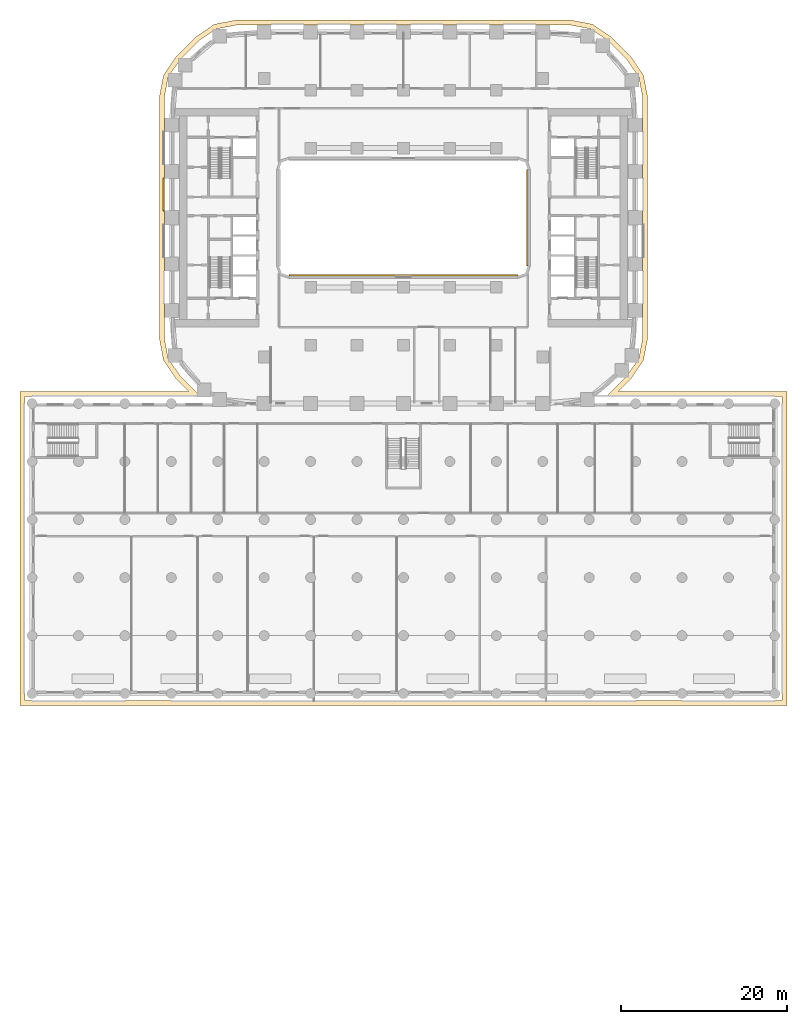
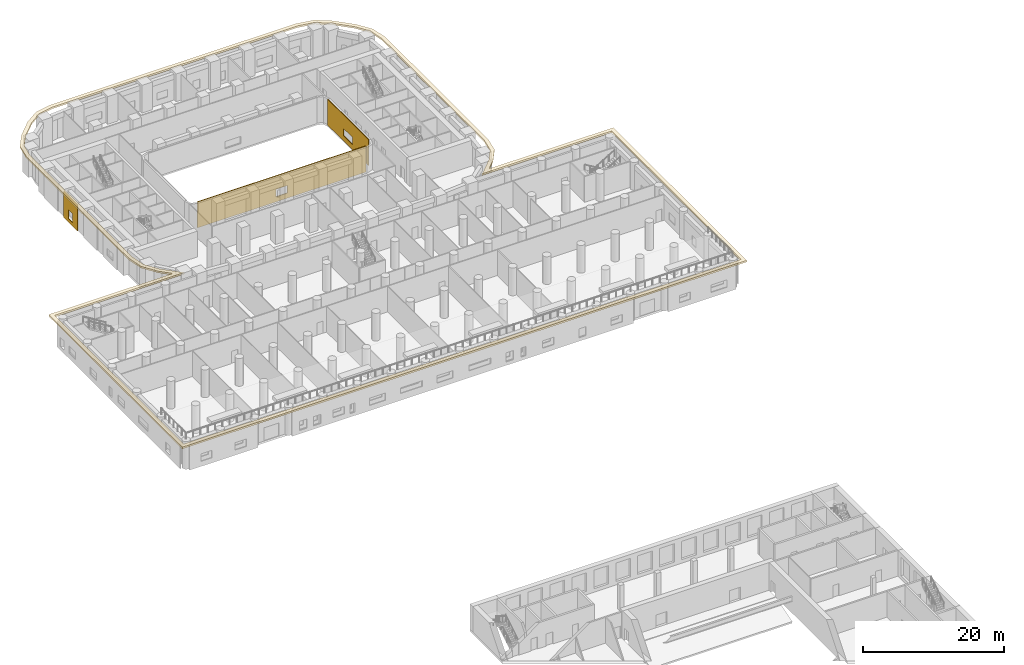
# One storey, part 23 of 27: 4 coverings.
"""IFC4 building model written with IfcOpenShell, lengths in metres."""

from ifc_helpers import new_model, si_unit, direction, frame, origin, place, context, subcontext, project, spatial, polyline, outline, extrude, material, layer, layer_set, type_object, element, save


model = new_model("IFC4")

# Units and contexts
model_context = context("Model", 3, precision=1e-05, world=origin(), true_north=direction((0.0, 1.0)))
body_context = subcontext(model_context, "Body", "Model", "MODEL_VIEW")
ifc_project = project(units=[si_unit("LENGTHUNIT", "METRE"), si_unit("AREAUNIT", "SQUARE_METRE"), si_unit("VOLUMEUNIT", "CUBIC_METRE"), si_unit("PLANEANGLEUNIT", "RADIAN"), si_unit("MASSUNIT", "GRAM", prefix="KILO")], contexts=[model_context])

# Site, building, storey
site_placement = place(None, origin())
site = spatial("IfcSite", under=ifc_project, at=site_placement, CompositionType="ELEMENT")
building_placement = place(site_placement, origin())
building = spatial("IfcBuilding", under=site, at=building_placement, Name="Kiln Ring Residences", CompositionType="ELEMENT")
storey_placement = place(building_placement, frame((0.0, 0.0, 6.5)))
storey = spatial("IfcBuildingStorey", under=building, at=storey_placement, Name="L01", CompositionType="ELEMENT", Elevation=6.5)

# Coverings
ifc_material_1 = material(Name="Brick masonry, dark clay brick", Category="masonry")
ifc_layer_1 = layer(ifc_material_1, 0.1201171875)
ifc_layer_set_1 = layer_set([ifc_layer_1], Name="RAINSCREEN PANEL 120")
covering_type_1 = type_object("IfcCoveringType", Name="RAINSCREEN PANEL 120", PredefinedType="CLADDING", material=ifc_layer_set_1)
covering_1_placement = place(storey_placement, frame((-28.909912109375, 4.75, 0.0), z_axis=(0.0, 0.0, 1.0), x_axis=(0.0, -1.0, 0.0)))
element("IfcCovering", 1, at=covering_1_placement, inside=storey, type_object=covering_type_1, Name="RAINSCREEN L01", PredefinedType="CLADDING", context=body_context, shape_type="SweptSolid", body=[
    extrude(outline(polyline([(0.0, 0.0), (3.89990234375, 0.0), (3.89990234375, 4.5), (0.0, 4.5), (0.0, 0.0)]), holes=[polyline([(1.35009765625, 2.14990234375), (1.35009765625, 0.60009765625), (2.550048828125, 0.60009765625), (2.550048828125, 2.14990234375), (1.35009765625, 2.14990234375)])]), frame((0.0, 0.06005859375, 0.0), z_axis=(0.0, -1.0, 0.0), x_axis=(1.0, 0.0, 0.0)), (0.0, 0.0, 1.0), 0.1201171875),
])
covering_2_placement = place(storey_placement, frame((14.93994140625, 5.800048828125, 0.0), z_axis=(0.0, 0.0, 1.0), x_axis=(0.0, -1.0, 0.0)))
element("IfcCovering", 2, at=covering_2_placement, inside=storey, type_object=covering_type_1, Name="RAINSCREEN L01", PredefinedType="CLADDING", context=body_context, shape_type="SweptSolid", body=[
    extrude(outline(polyline([(0.0, 0.0), (11.60009765625, 0.0), (11.60009765625, 4.5), (0.0, 4.5), (0.0, 0.0)]), holes=[polyline([(4.5, 2.14990234375), (4.5, 0.89990234375), (7.10009765625, 0.89990234375), (7.10009765625, 2.14990234375), (4.5, 2.14990234375)])]), frame((0.0, 0.06005859375, 0.0), z_axis=(0.0, -1.0, 0.0), x_axis=(1.0, 0.0, 0.0)), (0.0, 0.0, 1.0), 0.1201171875),
])
covering_3_placement = place(storey_placement, frame((13.800048828125, -6.93994140625, 0.0), z_axis=(0.0, 0.0, 1.0), x_axis=(-1.0, 0.0, 0.0)))
element("IfcCovering", 3, at=covering_3_placement, inside=storey, type_object=covering_type_1, Name="RAINSCREEN L01", PredefinedType="CLADDING", context=body_context, shape_type="SweptSolid", body=[
    extrude(outline(polyline([(0.0, 0.0), (27.60009765625, 0.0), (27.60009765625, 4.5), (0.0, 4.5), (0.0, 0.0)]), holes=[polyline([(12.8798828125, 2.169921875), (12.8798828125, 0.8798828125), (14.719970703125, 0.8798828125), (14.719970703125, 2.169921875), (12.8798828125, 2.169921875)])]), frame((0.0, 0.06005859375, 0.0), z_axis=(0.0, -1.0, 0.0), x_axis=(1.0, 0.0, 0.0)), (0.0, 0.0, 1.0), 0.1201171875),
])
ifc_material_2 = material(Name="Black powder-coated steel", Category="steel")
ifc_layer_2 = layer(ifc_material_2, 0.300048828125)
ifc_layer_set_2 = layer_set([ifc_layer_2], Name="SUNSHADE FIN 600")
covering_type_2 = type_object("IfcCoveringType", Name="SUNSHADE FIN 600", PredefinedType="CLADDING", material=ifc_layer_set_2)
covering_4_placement = place(storey_placement, frame((0.0, 0.0, 4.5)))
element("IfcCovering", 4, at=covering_4_placement, inside=storey, type_object=covering_type_2, Name="SUNSHADE FIN L01", PredefinedType="CLADDING", context=body_context, shape_type="SweptSolid", body=[
    extrude(outline(polyline([(-27.42529296875, -19.42529296875), (-25.900634765625, -20.949951171875), (-46.25, -20.949951171875), (-46.25, -58.85009765625), (46.25, -58.85009765625), (46.25, -20.949951171875), (25.900634765625, -20.949951171875), (27.42529296875, -19.42529296875), (28.94384765625, -17.19091796875), (29.449951171875, -14.537109375), (29.449951171875, 14.537109375), (28.94384765625, 17.19091796875), (27.42529296875, 19.42529296875), (25.025390625, 21.8251953125), (22.791015625, 23.34375), (20.13720703125, 23.85009765625), (-20.13720703125, 23.85009765625), (-22.791015625, 23.34375), (-25.025390625, 21.8251953125), (-27.42529296875, 19.42529296875), (-28.94384765625, 17.19091796875), (-29.449951171875, 14.537109375), (-29.449951171875, -14.537109375), (-28.94384765625, -17.19091796875), (-27.42529296875, -19.42529296875)]), holes=[polyline([(-45.64990234375, -21.550048828125), (-24.36279296875, -21.550048828125), (-24.641357421875, -21.36083984375), (-26.960693359375, -19.041259765625), (-28.377685546875, -16.956298828125), (-28.85009765625, -14.480224609375), (-28.85009765625, 14.480224609375), (-28.377685546875, 16.956298828125), (-26.960693359375, 19.041259765625), (-24.641357421875, 21.36083984375), (-22.556396484375, 22.777587890625), (-20.080322265625, 23.25), (20.080322265625, 23.25), (22.556396484375, 22.777587890625), (24.641357421875, 21.36083984375), (26.960693359375, 19.041259765625), (28.377685546875, 16.956298828125), (28.85009765625, 14.480224609375), (28.85009765625, -14.480224609375), (28.377685546875, -16.956298828125), (26.960693359375, -19.041259765625), (24.641357421875, -21.36083984375), (24.36279296875, -21.550048828125), (45.64990234375, -21.550048828125), (45.64990234375, -58.25), (-45.64990234375, -58.25), (-45.64990234375, -21.550048828125)])]), origin(), (0.0, 0.0, 1.0), 0.300048828125),
])

save(model, "model.ifc")
